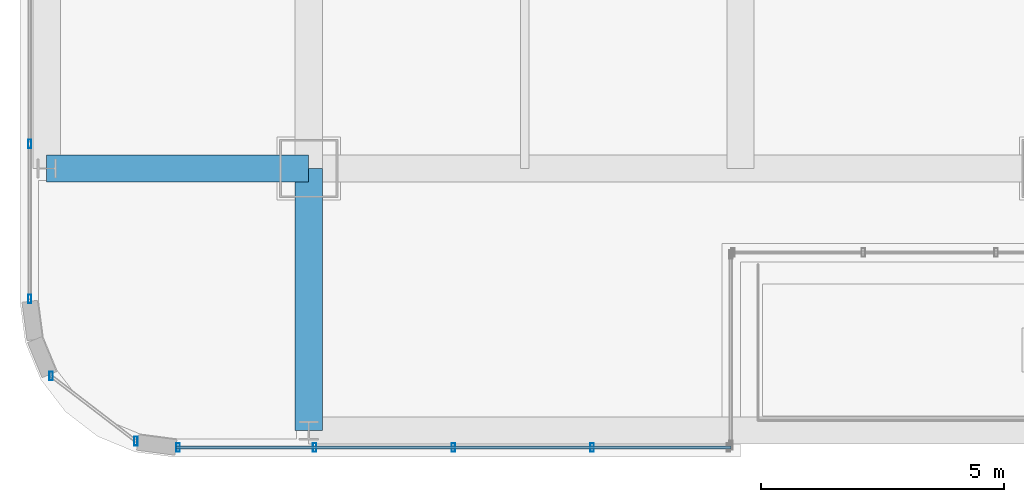
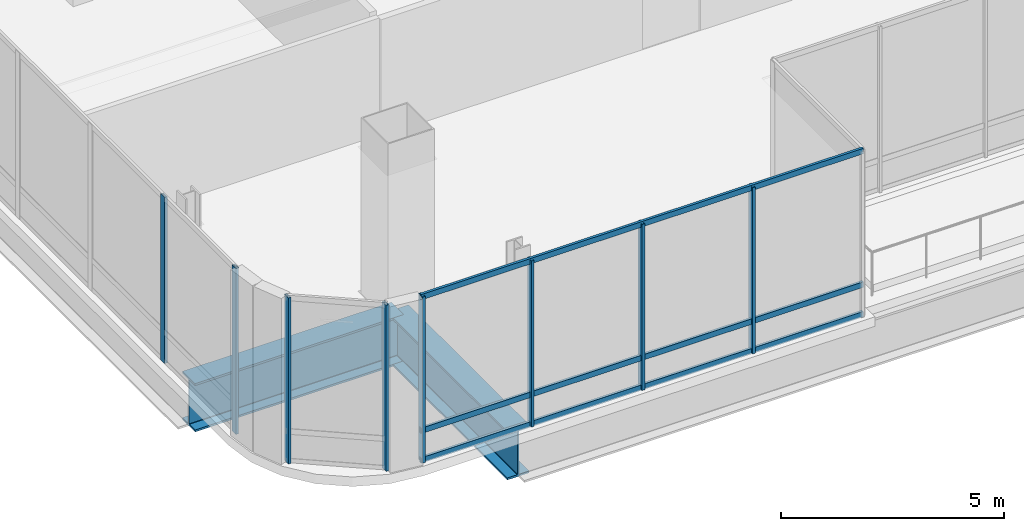
# One storey, part 2 of 44: 11 members, 2 beams, 3 elements without a shape of their own.
"""IFC4 building model written with IfcOpenShell, lengths in metres."""

import ifcopenshell
import ifcopenshell.guid

model = None  # the IFC model being written
_history = None  # IfcOwnerHistory: only IFC2X3 demands one
_inside = {}  # id of a spatial element -> (the spatial element, [elements in it])
_under = {}  # id of a project, library or spatial element -> (it, [spatial elements below it])
_declared = {}  # id of a project -> (the project, [libraries it declares])
_typed = {}  # id of a type object -> (the type object, [elements of that type])
_made_of = {}  # id of a material, layer set ... -> (it, [elements and type objects made of it])


def new_model(schema):
    """Start an empty IFC model of exactly this schema.

    Asked for "IFC4X3", IfcOpenShell would pick the latest addendum, in which some entities
    have other attributes; the version numbers below select the first issue.
    IFC2X3 requires an IfcOwnerHistory on every rooted entity: one is made here for all.
    """
    global model, _history
    if schema == "IFC4X3":
        model = ifcopenshell.file(schema_version=(4, 3, 0, 0))
    else:
        model = ifcopenshell.file(schema=schema)
    _inside.clear()
    _under.clear()
    _declared.clear()
    _typed.clear()
    _made_of.clear()
    _history = None
    if model.schema == "IFC2X3":
        org = make("IfcOrganization", Name="unknown")
        user = make(
            "IfcPersonAndOrganization",
            ThePerson=make("IfcPerson", FamilyName="unknown"),
            TheOrganization=org,
        )
        app = make(
            "IfcApplication",
            ApplicationDeveloper=org,
            Version="unknown",
            ApplicationFullName="unknown",
            ApplicationIdentifier="unknown",
        )
        _history = make(
            "IfcOwnerHistory",
            OwningUser=user,
            OwningApplication=app,
            ChangeAction="ADDED",
            CreationDate=0,
        )
    return model


def make(cls, **values):
    """One entity of the class cls with the attributes given. An attribute that is None is left unset."""
    return model.create_entity(
        cls, **{name: value for name, value in values.items() if value is not None}
    )


def rooted(cls, **values):
    """An entity with a GlobalId (a new one), such as an element, a storey or a relation."""
    return make(cls, GlobalId=ifcopenshell.guid.new(), OwnerHistory=_history, **values)


def si_unit(unit_type, name, prefix=None):
    """IfcSIUnit, for example si_unit("LENGTHUNIT", "METRE", prefix="MILLI")."""
    return make("IfcSIUnit", UnitType=unit_type, Prefix=prefix, Name=name)


def assignment(units):
    """IfcUnitAssignment: the units of a project."""
    return None if units is None else make("IfcUnitAssignment", Units=units)


def point(xyz):
    """IfcCartesianPoint."""
    return None if xyz is None else make("IfcCartesianPoint", Coordinates=xyz)


def direction(xyz):
    """IfcDirection."""
    return None if xyz is None else make("IfcDirection", DirectionRatios=xyz)


def frame(location, z_axis=None, x_axis=None):
    """IfcAxis2Placement3D, a coordinate frame: its origin and axes. An axis left out is left unset."""
    return make(
        "IfcAxis2Placement3D",
        Location=point(location),
        Axis=direction(z_axis),
        RefDirection=direction(x_axis),
    )


def frame_2d(location, x_axis=None):
    """IfcAxis2Placement2D, a coordinate frame in the plane: its origin and x axis."""
    return make(
        "IfcAxis2Placement2D", Location=point(location), RefDirection=direction(x_axis)
    )


def origin():
    """The frame at (0, 0, 0) with its axes left unset."""
    return frame((0.0, 0.0, 0.0))


def origin_2d():
    """The frame at (0, 0) in the plane with its x axis left unset."""
    return frame_2d((0.0, 0.0))


def place(relative_to, where):
    """IfcLocalPlacement: puts the frame where relative to a parent placement (None: the world)."""
    return make(
        "IfcLocalPlacement", PlacementRelTo=relative_to, RelativePlacement=where
    )


def context(
    kind, dimensions, precision=None, world=None, true_north=None, identifier=None
):
    """IfcGeometricRepresentationContext, for example the 3D "Model" context."""
    return make(
        "IfcGeometricRepresentationContext",
        ContextIdentifier=identifier,
        ContextType=kind,
        CoordinateSpaceDimension=dimensions,
        Precision=precision,
        WorldCoordinateSystem=world,
        TrueNorth=true_north,
    )


def subcontext(parent, identifier, kind, view, scale=None):
    """IfcGeometricRepresentationSubContext, for example "Body" below "Model"."""
    return make(
        "IfcGeometricRepresentationSubContext",
        ContextIdentifier=identifier,
        ContextType=kind,
        ParentContext=parent,
        TargetScale=scale,
        TargetView=view,
    )


def project(units=None, contexts=None):
    """IfcProject with its units and contexts."""
    return rooted(
        "IfcProject",
        Name="project",
        RepresentationContexts=contexts,
        UnitsInContext=assignment(units),
    )


def spatial(cls, under=None, at=None, **own):
    """A site, building, storey or space (cls), placed at a placement, below another one or the project."""
    s = rooted(cls, ObjectPlacement=at, **own)
    if under is not None:
        _under.setdefault(under.id(), (under, []))[1].append(s)
    return s


def profile(cls, at=None, kind="AREA", **sizes):
    """A parametric profile (cls). Its sizes go by their IFC names, for example OverallWidth=200.0."""
    return make(cls, ProfileType=kind, Position=at, **sizes)


def hollow_rectangle(**sizes):
    """IfcRectangleHollowProfileDef."""
    return profile("IfcRectangleHollowProfileDef", **sizes)


def i_section(**sizes):
    """IfcIShapeProfileDef."""
    return profile("IfcIShapeProfileDef", **sizes)


def extrude(swept, where, along, depth):
    """IfcExtrudedAreaSolid: the profile swept, set in the frame where, extruded along a direction by depth."""
    return make(
        "IfcExtrudedAreaSolid",
        SweptArea=swept,
        Position=where,
        ExtrudedDirection=direction(along),
        Depth=depth,
    )


def shape(context_of_items, identifier, shape_type, items):
    """IfcShapeRepresentation: the items that make up one representation, for example the "Body"."""
    return make(
        "IfcShapeRepresentation",
        ContextOfItems=context_of_items,
        RepresentationIdentifier=identifier,
        RepresentationType=shape_type,
        Items=items,
    )


def material(Name=None, Category=None):
    """IfcMaterial."""
    return make("IfcMaterial", Name=Name, Category=Category)


def material_profile(
    of_material, cross_section, Name=None, Category=None, Priority=None
):
    """IfcMaterialProfile: a cross section and its material."""
    return make(
        "IfcMaterialProfile",
        Name=Name,
        Material=of_material,
        Profile=cross_section,
        Priority=Priority,
        Category=Category,
    )


def profile_set(profiles, Name=None, composite=None):
    """IfcMaterialProfileSet."""
    return make(
        "IfcMaterialProfileSet",
        Name=Name,
        MaterialProfiles=profiles,
        CompositeProfile=composite,
    )


def made_of(thing, what):
    """Note that an element or type object is made of a material, layer set ...; save() writes the relation."""
    if what is not None:
        _made_of.setdefault(what.id(), (what, []))[1].append(thing)
    return thing


def type_object(cls, material=None, **own):
    """A type object (cls), such as IfcWallType, which elements share."""
    return made_of(rooted(cls, **own), material)


def element(
    cls,
    number,
    at=None,
    inside=None,
    cuts=None,
    type_object=None,
    material=None,
    context=None,
    identifier="Body",
    shape_type=None,
    held_by="IfcProductDefinitionShape",
    body=None,
    shapes=None,
    **own,
):
    """One element of the class cls, such as IfcWall. Its Tag is "e" and its number.

    at: its placement. inside: the storey or other place that contains it. cuts: it is an
    opening in that element (IfcRelVoidsElement). A single representation is given by context,
    identifier, shape_type and body (its items); several are given by shapes. held_by: the class
    of the entity that holds the representations. save() writes the other relations.
    """
    e = rooted(cls, Tag="e%d" % number, ObjectPlacement=at, **own)
    if body is not None:
        shapes = [shape(context, identifier, shape_type, body)]
    if shapes is not None:
        e.Representation = make(held_by, Representations=shapes)
    if inside is not None:
        _inside.setdefault(inside.id(), (inside, []))[1].append(e)
    if cuts is not None:
        rooted(
            "IfcRelVoidsElement", RelatingBuildingElement=cuts, RelatedOpeningElement=e
        )
    if type_object is not None:
        _typed.setdefault(type_object.id(), (type_object, []))[1].append(e)
    return made_of(e, material)


def aggregate(whole, parts):
    """IfcRelAggregates: a whole, such as a stair, and the parts it consists of."""
    return rooted("IfcRelAggregates", RelatingObject=whole, RelatedObjects=parts)


def save(model, path):
    """Write the relations noted so far, then the file.

    IfcRelAggregates (storeys below a building ...), IfcRelContainedInSpatialStructure (elements
    in a storey), IfcRelDefinesByType, IfcRelAssociatesMaterial and IfcRelDeclares: one each for
    every whole, place, type object, material and project.
    """
    for whole, parts in _under.values():
        aggregate(whole, parts)
    for where, things in _inside.values():
        rooted(
            "IfcRelContainedInSpatialStructure",
            RelatedElements=things,
            RelatingStructure=where,
        )
    for kind, things in _typed.values():
        rooted("IfcRelDefinesByType", RelatedObjects=things, RelatingType=kind)
    for what, things in _made_of.values():
        rooted("IfcRelAssociatesMaterial", RelatedObjects=things, RelatingMaterial=what)
    for by, libraries in _declared.values():
        rooted("IfcRelDeclares", RelatingContext=by, RelatedDefinitions=libraries)
    model.write(path)


model = new_model("IFC4")

# Units and contexts
model_context = context("Model", 3, precision=1e-05, world=origin(), true_north=direction((0.0, 1.0)))
body_context = subcontext(model_context, "Body", "Model", "MODEL_VIEW")
ifc_project = project(units=[si_unit("LENGTHUNIT", "METRE"), si_unit("AREAUNIT", "SQUARE_METRE"), si_unit("VOLUMEUNIT", "CUBIC_METRE"), si_unit("PLANEANGLEUNIT", "RADIAN"), si_unit("MASSUNIT", "GRAM", prefix="KILO")], contexts=[model_context])

# Site, building, storey
site_placement = place(None, origin())
site = spatial("IfcSite", under=ifc_project, at=site_placement, CompositionType="ELEMENT")
building_placement = place(site_placement, origin())
building = spatial("IfcBuilding", under=site, at=building_placement, Name="Punatoya Terracotta Tower", CompositionType="ELEMENT")
storey_placement = place(building_placement, frame((0.0, 0.0, 334.199951171875)))
storey = spatial("IfcBuildingStorey", under=building, at=storey_placement, Name="L79", CompositionType="ELEMENT", Elevation=334.199951171875)

# Beams
ifc_material_1 = material(Name="Steel S460", Category="steel")
ifc_material_profile_1 = material_profile(ifc_material_1, i_section(OverallWidth=0.56005859375, OverallDepth=1.320068359375, WebThickness=0.035888671875, FlangeThickness=0.054931640625, FilletRadius=0.01806640625, at=origin_2d()))
ifc_profile_set_1 = profile_set([ifc_material_profile_1], Name="Steel S460")
beam_type = type_object("IfcBeamType", Name="BM-TG-BLK", PredefinedType="BEAM", material=ifc_profile_set_1)
for number, where, z_axis, x_axis, name in (
    (1, (-24.5, -17.5, -0.919921875), (1.0, 0.0, 0.0), (0.0, 1.0, 0.0), "BM-L79-CANT-W1"),
    (2, (-19.10009765625, -22.89990234375, -0.919921875), (0.0, 1.0, 0.0), (-1.0, 0.0, 0.0), "BM-L79-CANT-S1"),
):
    element("IfcBeam", number, at=place(storey_placement, frame(where, z_axis=z_axis, x_axis=x_axis)), inside=storey, type_object=beam_type, Name=name, PredefinedType="BEAM", context=body_context, shape_type="SweptSolid", body=[
        extrude(i_section(OverallWidth=0.56005859375, OverallDepth=1.320068359375, WebThickness=0.035888671875, FlangeThickness=0.054931640625, FilletRadius=0.01806640625, at=origin_2d()), origin(), (0.0, 0.0, 1.0), 5.39990234375),
    ])

# Curtain wall, members
ifc_material_2 = material(Name="Aluminium 6063-T6 + Double Low-E Glass", Category="aluminium")
curtain_wall_type = type_object("IfcCurtainWallType", Name="CW-OBS", PredefinedType="NOTDEFINED", material=ifc_material_2)
curtain_wall_1_placement = place(storey_placement, origin())
curtain_wall_1 = element("IfcCurtainWall", 3, at=curtain_wall_1_placement, inside=storey, type_object=curtain_wall_type, Name="L79 Curtain Wall CW-L79-S02-1", PredefinedType="NOTDEFINED")
ifc_material_3 = material(Name="Aluminium 6063-T6", Category="aluminium")
ifc_material_profile_2 = material_profile(ifc_material_3, hollow_rectangle(XDim=0.070068359375, YDim=0.179931640625, WallThickness=0.00390625, at=origin_2d()))
ifc_profile_set_2 = profile_set([ifc_material_profile_2], Name="Aluminium 6063-T6")
member_type_1 = type_object("IfcMemberType", Name="CW-MUL-M3", PredefinedType="MULLION", material=ifc_profile_set_2)
member_1_placement = place(storey_placement, frame((-21.7919921875, -23.25, 0.0), z_axis=(0.0, 0.0, 1.0), x_axis=(1.0, 0.0, 0.0)))
member_1 = element("IfcMember", 4, at=member_1_placement, type_object=member_type_1, Name="CW-L79-S02-1 Mullion 00", PredefinedType="MULLION", context=body_context, shape_type="SweptSolid", body=[
    extrude(hollow_rectangle(XDim=0.070068359375, YDim=0.179931640625, WallThickness=0.00390625, at=origin_2d()), origin(), (0.0, 0.0, 1.0), 4.5400390625),
])
member_2_placement = place(storey_placement, frame((-18.977783203125, -23.25, 0.0), z_axis=(0.0, 0.0, 1.0), x_axis=(1.0, 0.0, 0.0)))
member_2 = element("IfcMember", 5, at=member_2_placement, type_object=member_type_1, Name="CW-L79-S02-1 Mullion 01", PredefinedType="MULLION", context=body_context, shape_type="SweptSolid", body=[
    extrude(hollow_rectangle(XDim=0.070068359375, YDim=0.179931640625, WallThickness=0.00390625, at=origin_2d()), origin(), (0.0, 0.0, 1.0), 4.5400390625),
])
member_3_placement = place(storey_placement, frame((-16.118408203125, -23.25, 0.0), z_axis=(0.0, 0.0, 1.0), x_axis=(1.0, 0.0, 0.0)))
member_3 = element("IfcMember", 6, at=member_3_placement, type_object=member_type_1, Name="CW-L79-S02-1 Mullion 02", PredefinedType="MULLION", context=body_context, shape_type="SweptSolid", body=[
    extrude(hollow_rectangle(XDim=0.070068359375, YDim=0.179931640625, WallThickness=0.00390625, at=origin_2d()), origin(), (0.0, 0.0, 1.0), 4.5400390625),
])
member_4_placement = place(storey_placement, frame((-13.25927734375, -23.25, 0.0), z_axis=(0.0, 0.0, 1.0), x_axis=(1.0, 0.0, 0.0)))
member_4 = element("IfcMember", 7, at=member_4_placement, type_object=member_type_1, Name="CW-L79-S02-1 Mullion 03", PredefinedType="MULLION", context=body_context, shape_type="SweptSolid", body=[
    extrude(hollow_rectangle(XDim=0.070068359375, YDim=0.179931640625, WallThickness=0.00390625, at=origin_2d()), origin(), (0.0, 0.0, 1.0), 4.5400390625),
])

curtain_wall_2_placement = place(storey_placement, origin())
curtain_wall_2 = element("IfcCurtainWall", 8, at=curtain_wall_2_placement, inside=storey, type_object=curtain_wall_type, Name="L79 Curtain Wall CW-L79-W18-1", PredefinedType="NOTDEFINED")
member_5_placement = place(storey_placement, frame((-24.85009765625, -16.993896484375, 0.0), z_axis=(0.0, 0.0, 1.0), x_axis=(1.0, 0.0, 0.0)))
member_5 = element("IfcMember", 9, at=member_5_placement, type_object=member_type_1, Name="CW-L79-W18-1 Mullion 10", PredefinedType="MULLION", context=body_context, shape_type="SweptSolid", body=[
    extrude(hollow_rectangle(XDim=0.070068359375, YDim=0.179931640625, WallThickness=0.00390625, at=origin_2d()), origin(), (0.0, 0.0, 1.0), 4.5400390625),
])
member_6_placement = place(storey_placement, frame((-24.85009765625, -20.19189453125, 0.0), z_axis=(0.0, 0.0, 1.0), x_axis=(1.0, 0.0, 0.0)))
member_6 = element("IfcMember", 10, at=member_6_placement, type_object=member_type_1, Name="CW-L79-W18-1 Mullion 11", PredefinedType="MULLION", context=body_context, shape_type="SweptSolid", body=[
    extrude(hollow_rectangle(XDim=0.070068359375, YDim=0.179931640625, WallThickness=0.00390625, at=origin_2d()), origin(), (0.0, 0.0, 1.0), 4.5400390625),
])
aggregate(curtain_wall_2, [member_5, member_6])

curtain_wall_3_placement = place(storey_placement, origin())
curtain_wall_3 = element("IfcCurtainWall", 11, at=curtain_wall_3_placement, inside=storey, type_object=curtain_wall_type, Name="L79 Curtain Wall CW-L79-CRN21", PredefinedType="NOTDEFINED")
member_7_placement = place(storey_placement, frame((-24.410888671875, -21.776611328125, 0.0), z_axis=(0.0, 0.0, 1.0), x_axis=(1.0, 0.0, 0.0)))
member_7 = element("IfcMember", 12, at=member_7_placement, type_object=member_type_1, Name="CW-L79-CRN21 Mullion 00", PredefinedType="MULLION", context=body_context, shape_type="SweptSolid", body=[
    extrude(hollow_rectangle(XDim=0.070068359375, YDim=0.179931640625, WallThickness=0.00390625, at=origin_2d()), origin(), (0.0, 0.0, 1.0), 4.5400390625),
])
member_8_placement = place(storey_placement, frame((-22.66162109375, -23.118896484375, 0.0), z_axis=(0.0, 0.0, 1.0), x_axis=(1.0, 0.0, 0.0)))
member_8 = element("IfcMember", 13, at=member_8_placement, type_object=member_type_1, Name="CW-L79-CRN21 Mullion 01", PredefinedType="MULLION", context=body_context, shape_type="SweptSolid", body=[
    extrude(hollow_rectangle(XDim=0.070068359375, YDim=0.179931640625, WallThickness=0.00390625, at=origin_2d()), origin(), (0.0, 0.0, 1.0), 4.5400390625),
])
aggregate(curtain_wall_3, [member_7, member_8])

# Member
ifc_material_profile_3 = material_profile(ifc_material_3, hollow_rectangle(XDim=0.068115234375, YDim=0.14990234375, WallThickness=0.00390625, at=origin_2d()))
ifc_profile_set_3 = profile_set([ifc_material_profile_3], Name="Aluminium 6063-T6")
member_type_2 = type_object("IfcMemberType", Name="CW-TRN-TYP", PredefinedType="USERDEFINED", material=ifc_profile_set_3)
member_9_placement = place(storey_placement, frame((-21.8369140625, -23.25, 0.0400390625), z_axis=(1.0, 0.0, 0.0), x_axis=(0.0, 1.0, 0.0)))
member_9 = element("IfcMember", 14, at=member_9_placement, type_object=member_type_2, Name="CW-L79-S02-1 Transom 1", ObjectType="TRANSOM", PredefinedType="USERDEFINED", context=body_context, shape_type="SweptSolid", body=[
    extrude(hollow_rectangle(XDim=0.068115234375, YDim=0.14990234375, WallThickness=0.00390625, at=origin_2d()), origin(), (0.0, 0.0, 1.0), 11.43701171875),
])

member_10_placement = place(storey_placement, frame((-21.8369140625, -23.25, 0.85009765625), z_axis=(1.0, 0.0, 0.0), x_axis=(0.0, 1.0, 0.0)))
member_10 = element("IfcMember", 15, at=member_10_placement, type_object=member_type_2, Name="CW-L79-S02-1 Transom 2", ObjectType="TRANSOM", PredefinedType="USERDEFINED", context=body_context, shape_type="SweptSolid", body=[
    extrude(hollow_rectangle(XDim=0.068115234375, YDim=0.14990234375, WallThickness=0.00390625, at=origin_2d()), origin(), (0.0, 0.0, 1.0), 11.43701171875),
])

member_11_placement = place(storey_placement, frame((-21.8369140625, -23.25, 4.5), z_axis=(1.0, 0.0, 0.0), x_axis=(0.0, 1.0, 0.0)))
member_11 = element("IfcMember", 16, at=member_11_placement, type_object=member_type_2, Name="CW-L79-S02-1 Transom 3", ObjectType="TRANSOM", PredefinedType="USERDEFINED", context=body_context, shape_type="SweptSolid", body=[
    extrude(hollow_rectangle(XDim=0.068115234375, YDim=0.14990234375, WallThickness=0.00390625, at=origin_2d()), origin(), (0.0, 0.0, 1.0), 11.43701171875),
])

aggregate(curtain_wall_1, [member_1, member_2, member_3, member_4, member_9, member_10, member_11])

save(model, "model.ifc")
